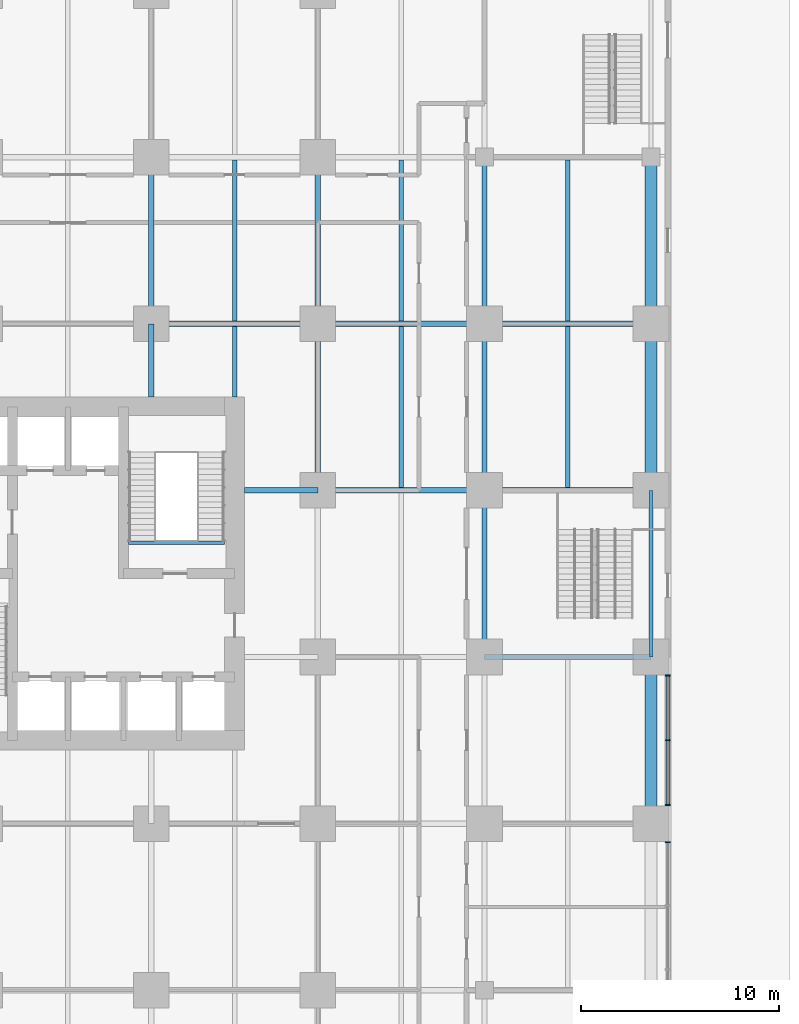
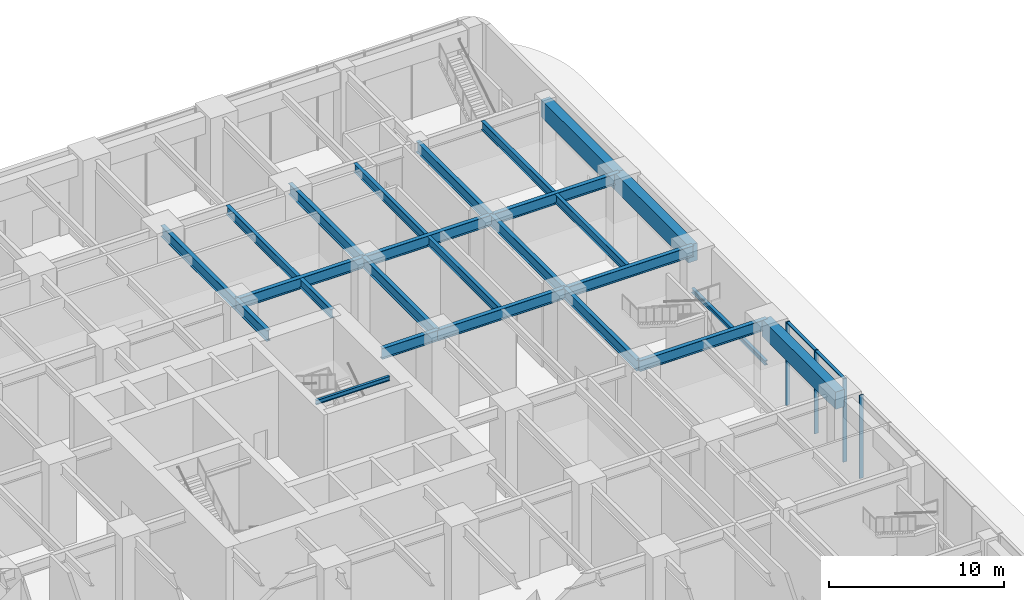
# One storey, part 6 of 21: 25 beams, 6 members, 1 element without a shape of its own.
"""IFC4 building model written with IfcOpenShell, lengths in metres."""

from ifc_helpers import new_model, si_unit, direction, frame, origin, origin_2d, place, context, subcontext, project, spatial, rectangle, i_section, extrude, material, material_profile, profile_set, type_object, element, aggregate, save


model = new_model("IFC4")

# Units and contexts
model_context = context("Model", 3, precision=1e-05, world=origin(), true_north=direction((0.0, 1.0)))
body_context = subcontext(model_context, "Body", "Model", "MODEL_VIEW")
ifc_project = project(units=[si_unit("LENGTHUNIT", "METRE"), si_unit("AREAUNIT", "SQUARE_METRE"), si_unit("VOLUMEUNIT", "CUBIC_METRE"), si_unit("PLANEANGLEUNIT", "RADIAN"), si_unit("MASSUNIT", "GRAM", prefix="KILO")], contexts=[model_context])

# Site, building, storey
site_placement = place(None, origin())
site = spatial("IfcSite", under=ifc_project, at=site_placement, CompositionType="ELEMENT")
building_placement = place(site_placement, origin())
building = spatial("IfcBuilding", under=site, at=building_placement, Name="Torre Alcanfor", CompositionType="ELEMENT")
storey_placement = place(building_placement, origin())
storey = spatial("IfcBuildingStorey", under=building, at=storey_placement, Name="L00", CompositionType="ELEMENT", Elevation=0.0)

# Curtain wall, members
ifc_material_1 = material(Name="Aluminium and glass", Category="aluminium")
curtain_wall_type = type_object("IfcCurtainWallType", Name="CW-C ground floor storefront glazing", PredefinedType="NOTDEFINED", material=ifc_material_1)
curtain_wall_placement = place(storey_placement, origin())
curtain_wall = element("IfcCurtainWall", 1, at=curtain_wall_placement, inside=storey, type_object=curtain_wall_type, Name="Curtain wall CW-C L00 E 3", PredefinedType="NOTDEFINED")
ifc_material_2 = material(Name="Extruded aluminium", Category="aluminium")
ifc_material_profile_1 = material_profile(ifc_material_2, rectangle(XDim=0.25, YDim=0.06494140625, at=origin_2d()), Name="CW-C mullion 65x250")
ifc_profile_set_1 = profile_set([ifc_material_profile_1], Name="Extruded aluminium")
member_type_1 = type_object("IfcMemberType", Name="CW-C mullion 65x250", PredefinedType="MULLION", material=ifc_profile_set_1)
member_1_placement = place(storey_placement, frame((59.64990234375, 15.862548828125, 0.0), z_axis=(0.0, 0.0, 1.0), x_axis=(-1.0, 0.0, 0.0)))
member_1 = element("IfcMember", 2, at=member_1_placement, type_object=member_type_1, Name="CW-C mullion 1.5", PredefinedType="MULLION", context=body_context, shape_type="SweptSolid", body=[
    extrude(rectangle(XDim=0.25, YDim=0.06494140625, at=origin_2d()), origin(), (0.0, 0.0, 1.0), 5.800048828125),
])
member_2_placement = place(storey_placement, frame((59.64990234375, 17.737548828125, 0.0), z_axis=(0.0, 0.0, 1.0), x_axis=(-1.0, 0.0, 0.0)))
member_2 = element("IfcMember", 3, at=member_2_placement, type_object=member_type_1, Name="CW-C mullion 2.1", PredefinedType="MULLION", context=body_context, shape_type="SweptSolid", body=[
    extrude(rectangle(XDim=0.25, YDim=0.06494140625, at=origin_2d()), origin(), (0.0, 0.0, 1.0), 5.800048828125),
])
member_3_placement = place(storey_placement, frame((59.64990234375, 21.0, 0.0), z_axis=(0.0, 0.0, 1.0), x_axis=(-1.0, 0.0, 0.0)))
member_3 = element("IfcMember", 4, at=member_3_placement, type_object=member_type_1, Name="CW-C mullion 2.2", PredefinedType="MULLION", context=body_context, shape_type="SweptSolid", body=[
    extrude(rectangle(XDim=0.25, YDim=0.06494140625, at=origin_2d()), origin(), (0.0, 0.0, 1.0), 5.800048828125),
])
member_4_placement = place(storey_placement, frame((59.64990234375, 24.262451171875, 0.0), z_axis=(0.0, 0.0, 1.0), x_axis=(-1.0, 0.0, 0.0)))
member_4 = element("IfcMember", 5, at=member_4_placement, type_object=member_type_1, Name="CW-C mullion 2.3", PredefinedType="MULLION", context=body_context, shape_type="SweptSolid", body=[
    extrude(rectangle(XDim=0.25, YDim=0.06494140625, at=origin_2d()), origin(), (0.0, 0.0, 1.0), 5.800048828125),
])
ifc_material_3 = material(Name="Extruded aluminium", Category="aluminium")
ifc_material_profile_2 = material_profile(ifc_material_3, rectangle(XDim=0.199951171875, YDim=0.06494140625, at=origin_2d()), Name="CW-C transom 200x65")
ifc_profile_set_2 = profile_set([ifc_material_profile_2], Name="Extruded aluminium")
member_type_2 = type_object("IfcMemberType", Name="CW-C transom 65x200", PredefinedType="USERDEFINED", material=ifc_profile_set_2)
member_5_placement = place(storey_placement, frame((59.64990234375, 17.77001953125, 5.767578125), z_axis=(0.0, 1.0, 0.0), x_axis=(-1.0, 0.0, 0.0)))
member_5 = element("IfcMember", 6, at=member_5_placement, type_object=member_type_2, Name="CW-C transom 2.1.2", ObjectType="TRANSOM", PredefinedType="USERDEFINED", context=body_context, shape_type="SweptSolid", body=[
    extrude(rectangle(XDim=0.199951171875, YDim=0.06494140625, at=origin_2d()), origin(), (0.0, 0.0, 1.0), 3.197509765625),
])
member_6_placement = place(storey_placement, frame((59.64990234375, 21.032470703125, 5.767578125), z_axis=(0.0, 1.0, 0.0), x_axis=(-1.0, 0.0, 0.0)))
member_6 = element("IfcMember", 7, at=member_6_placement, type_object=member_type_2, Name="CW-C transom 2.2.2", ObjectType="TRANSOM", PredefinedType="USERDEFINED", context=body_context, shape_type="SweptSolid", body=[
    extrude(rectangle(XDim=0.199951171875, YDim=0.06494140625, at=origin_2d()), origin(), (0.0, 0.0, 1.0), 3.197509765625),
])
aggregate(curtain_wall, [member_1, member_2, member_3, member_4, member_5, member_6])

# Beams
ifc_material_4 = material(Name="Steel ASTM A992 Grade 50", Category="steel")
ifc_material_profile_3 = material_profile(ifc_material_4, i_section(OverallWidth=0.2666015625, OverallDepth=0.7568359375, WebThickness=0.013916015625, FlangeThickness=0.019287109375, at=origin_2d()), Name="W30x108")
ifc_profile_set_3 = profile_set([ifc_material_profile_3], Name="Steel ASTM A992 Grade 50")
beam_type_1 = type_object("IfcBeamType", Name="Girder W30x108", PredefinedType="BEAM", material=ifc_profile_set_3)
beam_1_placement = place(storey_placement, frame((50.39990234375, 25.199951171875, 5.421630859375), z_axis=(1.0, 0.0, 0.0), x_axis=(0.0, 1.0, 0.0)))
element("IfcBeam", 8, at=beam_1_placement, inside=storey, type_object=beam_type_1, Name="Beam 7F-8F under L01", PredefinedType="BEAM", context=body_context, shape_type="SweptSolid", body=[
    extrude(i_section(OverallWidth=0.2666015625, OverallDepth=0.7568359375, WebThickness=0.013916015625, FlangeThickness=0.019287109375, at=origin_2d()), origin(), (0.0, 0.0, 1.0), 8.400146484375),
])
beam_2_placement = place(storey_placement, frame((42.0, 33.60009765625, 5.421630859375), z_axis=(1.0, 0.0, 0.0), x_axis=(0.0, 1.0, 0.0)))
element("IfcBeam", 9, at=beam_2_placement, inside=storey, type_object=beam_type_1, Name="Beam 6G-7G under L01", PredefinedType="BEAM", context=body_context, shape_type="SweptSolid", body=[
    extrude(i_section(OverallWidth=0.2666015625, OverallDepth=0.7568359375, WebThickness=0.013916015625, FlangeThickness=0.019287109375, at=origin_2d()), origin(), (0.0, 0.0, 1.0), 8.39990234375),
])
beam_3_placement = place(storey_placement, frame((50.39990234375, 33.60009765625, 5.421630859375), z_axis=(1.0, 0.0, 0.0), x_axis=(0.0, 1.0, 0.0)))
element("IfcBeam", 10, at=beam_3_placement, inside=storey, type_object=beam_type_1, Name="Beam 7G-8G under L01", PredefinedType="BEAM", context=body_context, shape_type="SweptSolid", body=[
    extrude(i_section(OverallWidth=0.2666015625, OverallDepth=0.7568359375, WebThickness=0.013916015625, FlangeThickness=0.019287109375, at=origin_2d()), origin(), (0.0, 0.0, 1.0), 8.400146484375),
])
for number, where, z_axis, x_axis, name in (
    (11, (33.60009765625, 42.0, 5.421630859375), (1.0, 0.0, 0.0), (0.0, 1.0, 0.0), "Beam 5H-6H under L01"),
    (12, (42.0, 42.0, 5.421630859375), (1.0, 0.0, 0.0), (0.0, 1.0, 0.0), "Beam 6H-7H under L01"),
):
    element("IfcBeam", number, at=place(storey_placement, frame(where, z_axis=z_axis, x_axis=x_axis)), inside=storey, type_object=beam_type_1, Name=name, PredefinedType="BEAM", context=body_context, shape_type="SweptSolid", body=[
        extrude(i_section(OverallWidth=0.2666015625, OverallDepth=0.7568359375, WebThickness=0.013916015625, FlangeThickness=0.019287109375, at=origin_2d()), origin(), (0.0, 0.0, 1.0), 8.39990234375),
    ])
beam_4_placement = place(storey_placement, frame((50.39990234375, 42.0, 5.421630859375), z_axis=(1.0, 0.0, 0.0), x_axis=(0.0, 1.0, 0.0)))
element("IfcBeam", 13, at=beam_4_placement, inside=storey, type_object=beam_type_1, Name="Beam 7H-8H under L01", PredefinedType="BEAM", context=body_context, shape_type="SweptSolid", body=[
    extrude(i_section(OverallWidth=0.2666015625, OverallDepth=0.7568359375, WebThickness=0.013916015625, FlangeThickness=0.019287109375, at=origin_2d()), origin(), (0.0, 0.0, 1.0), 8.400146484375),
])
for number, where, z_axis, x_axis, name in (
    (14, (33.60009765625, 42.0, 5.421630859375), (0.0, 1.0, 0.0), (-1.0, 0.0, 0.0), "Beam 5H-5J under L01"),
    (15, (42.0, 33.60009765625, 5.421630859375), (0.0, 1.0, 0.0), (-1.0, 0.0, 0.0), "Beam 6G-6H under L01"),
    (16, (42.0, 42.0, 5.421630859375), (0.0, 1.0, 0.0), (-1.0, 0.0, 0.0), "Beam 6H-6J under L01"),
):
    element("IfcBeam", number, at=place(storey_placement, frame(where, z_axis=z_axis, x_axis=x_axis)), inside=storey, type_object=beam_type_1, Name=name, PredefinedType="BEAM", context=body_context, shape_type="SweptSolid", body=[
        extrude(i_section(OverallWidth=0.2666015625, OverallDepth=0.7568359375, WebThickness=0.013916015625, FlangeThickness=0.019287109375, at=origin_2d()), origin(), (0.0, 0.0, 1.0), 8.39990234375),
    ])
beam_5_placement = place(storey_placement, frame((50.39990234375, 25.199951171875, 5.421630859375), z_axis=(0.0, 1.0, 0.0), x_axis=(-1.0, 0.0, 0.0)))
element("IfcBeam", 17, at=beam_5_placement, inside=storey, type_object=beam_type_1, Name="Beam 7F-7G under L01", PredefinedType="BEAM", context=body_context, shape_type="SweptSolid", body=[
    extrude(i_section(OverallWidth=0.2666015625, OverallDepth=0.7568359375, WebThickness=0.013916015625, FlangeThickness=0.019287109375, at=origin_2d()), origin(), (0.0, 0.0, 1.0), 8.400146484375),
])
for number, where, z_axis, x_axis, name in (
    (18, (50.39990234375, 33.60009765625, 5.421630859375), (0.0, 1.0, 0.0), (-1.0, 0.0, 0.0), "Beam 7G-7H under L01"),
    (19, (50.39990234375, 42.0, 5.421630859375), (0.0, 1.0, 0.0), (-1.0, 0.0, 0.0), "Beam 7H-7J under L01"),
):
    element("IfcBeam", number, at=place(storey_placement, frame(where, z_axis=z_axis, x_axis=x_axis)), inside=storey, type_object=beam_type_1, Name=name, PredefinedType="BEAM", context=body_context, shape_type="SweptSolid", body=[
        extrude(i_section(OverallWidth=0.2666015625, OverallDepth=0.7568359375, WebThickness=0.013916015625, FlangeThickness=0.019287109375, at=origin_2d()), origin(), (0.0, 0.0, 1.0), 8.39990234375),
    ])
ifc_material_5 = material(Name="Steel ASTM A992 Grade 50", Category="steel")
ifc_material_profile_4 = material_profile(ifc_material_5, i_section(OverallWidth=0.2666015625, OverallDepth=0.7568359375, WebThickness=0.013916015625, FlangeThickness=0.019287109375, at=origin_2d()), Name="W30x108")
ifc_profile_set_4 = profile_set([ifc_material_profile_4], Name="Steel ASTM A992 Grade 50")
beam_type_2 = type_object("IfcBeamType", Name="Girder, part bay W30x108", PredefinedType="BEAM", material=ifc_profile_set_4)
for number, where, z_axis, x_axis, name in (
    (20, (33.60009765625, 42.0, 5.421630859375), (0.0, -1.0, 0.0), (1.0, 0.0, 0.0), "Beam 5H-538_3 under L01"),
    (21, (42.0, 33.60009765625, 5.421630859375), (-1.0, 0.0, 0.0), (0.0, -1.0, 0.0), "Beam 6G-38_3G under L01"),
):
    element("IfcBeam", number, at=place(storey_placement, frame(where, z_axis=z_axis, x_axis=x_axis)), inside=storey, type_object=beam_type_2, Name=name, PredefinedType="BEAM", context=body_context, shape_type="SweptSolid", body=[
        extrude(i_section(OverallWidth=0.2666015625, OverallDepth=0.7568359375, WebThickness=0.013916015625, FlangeThickness=0.019287109375, at=origin_2d()), origin(), (0.0, 0.0, 1.0), 3.699951171875),
    ])
ifc_material_6 = material(Name="Concrete f'c 70 MPa", Category="concrete")
ifc_material_profile_5 = material_profile(ifc_material_6, rectangle(XDim=0.60009765625, YDim=1.199951171875, at=origin_2d()), Name="600x1200")
ifc_profile_set_5 = profile_set([ifc_material_profile_5], Name="Concrete f'c 70 MPa")
beam_type_3 = type_object("IfcBeamType", Name="RC perimeter beam 600x1200", PredefinedType="BEAM", material=ifc_profile_set_5)
for number, where, z_axis, x_axis, name in (
    (22, (58.800048828125, 16.800048828125, 5.199951171875), (0.0, 1.0, 0.0), (-1.0, 0.0, 0.0), "Beam 8E-8F under L01"),
    (23, (58.800048828125, 33.60009765625, 5.199951171875), (0.0, 1.0, 0.0), (-1.0, 0.0, 0.0), "Beam 8G-8H under L01"),
    (24, (58.800048828125, 42.0, 5.199951171875), (0.0, 1.0, 0.0), (-1.0, 0.0, 0.0), "Beam 8H-8J under L01"),
):
    element("IfcBeam", number, at=place(storey_placement, frame(where, z_axis=z_axis, x_axis=x_axis)), inside=storey, type_object=beam_type_3, Name=name, PredefinedType="BEAM", context=body_context, shape_type="SweptSolid", body=[
        extrude(rectangle(XDim=0.60009765625, YDim=1.199951171875, at=origin_2d()), origin(), (0.0, 0.0, 1.0), 8.39990234375),
    ])
ifc_material_7 = material(Name="Steel ASTM A992 Grade 50", Category="steel")
ifc_material_profile_6 = material_profile(ifc_material_7, i_section(OverallWidth=0.203369140625, OverallDepth=0.30224609375, WebThickness=0.007568359375, FlangeThickness=0.01318359375, at=origin_2d()), Name="W12x40")
ifc_profile_set_6 = profile_set([ifc_material_profile_6], Name="Steel ASTM A992 Grade 50")
beam_type_4 = type_object("IfcBeamType", Name="School stair landing beam W12x40", PredefinedType="BEAM", material=ifc_profile_set_6)
beam_6_placement = place(storey_placement, frame((58.800048828125, 25.199951171875, 2.64892578125), z_axis=(0.0, 1.0, 0.0), x_axis=(-1.0, 0.0, 0.0)))
element("IfcBeam", 25, at=beam_6_placement, inside=storey, type_object=beam_type_4, Name="Landing beam SS2 L00", PredefinedType="BEAM", context=body_context, shape_type="SweptSolid", body=[
    extrude(i_section(OverallWidth=0.203369140625, OverallDepth=0.30224609375, WebThickness=0.007568359375, FlangeThickness=0.01318359375, at=origin_2d()), origin(), (0.0, 0.0, 1.0), 8.400146484375),
])
ifc_material_8 = material(Name="Steel ASTM A992 Grade 50", Category="steel")
ifc_material_profile_7 = material_profile(ifc_material_8, i_section(OverallWidth=0.22900390625, OverallDepth=0.612060546875, WebThickness=0.011962890625, FlangeThickness=0.01953125, at=origin_2d()), Name="W24x84")
ifc_profile_set_7 = profile_set([ifc_material_profile_7], Name="Steel ASTM A992 Grade 50")
beam_type_5 = type_object("IfcBeamType", Name="Secondary beam W24x84", PredefinedType="BEAM", material=ifc_profile_set_7)
for number, where, z_axis, x_axis, name in (
    (26, (37.800048828125, 42.133056640625, 5.493896484375), (0.0, 1.0, 0.0), (-1.0, 0.0, 0.0), "Beam 37_8H-37_8J under L01"),
    (27, (46.199951171875, 33.73291015625, 5.493896484375), (0.0, 1.0, 0.0), (-1.0, 0.0, 0.0), "Beam 46_2G-46_2H under L01"),
    (28, (46.199951171875, 42.133056640625, 5.493896484375), (0.0, 1.0, 0.0), (-1.0, 0.0, 0.0), "Beam 46_2H-46_2J under L01"),
    (29, (54.60009765625, 33.73291015625, 5.493896484375), (0.0, 1.0, 0.0), (-1.0, 0.0, 0.0), "Beam 54_6G-54_6H under L01"),
    (30, (54.60009765625, 42.133056640625, 5.493896484375), (0.0, 1.0, 0.0), (-1.0, 0.0, 0.0), "Beam 54_6H-54_6J under L01"),
):
    element("IfcBeam", number, at=place(storey_placement, frame(where, z_axis=z_axis, x_axis=x_axis)), inside=storey, type_object=beam_type_5, Name=name, PredefinedType="BEAM", context=body_context, shape_type="SweptSolid", body=[
        extrude(i_section(OverallWidth=0.22900390625, OverallDepth=0.612060546875, WebThickness=0.011962890625, FlangeThickness=0.01953125, at=origin_2d()), origin(), (0.0, 0.0, 1.0), 8.134033203125),
    ])
ifc_material_9 = material(Name="Steel ASTM A992 Grade 50", Category="steel")
ifc_material_profile_8 = material_profile(ifc_material_9, i_section(OverallWidth=0.22900390625, OverallDepth=0.612060546875, WebThickness=0.011962890625, FlangeThickness=0.01953125, at=origin_2d()), Name="W24x84")
ifc_profile_set_8 = profile_set([ifc_material_profile_8], Name="Steel ASTM A992 Grade 50")
beam_type_6 = type_object("IfcBeamType", Name="Secondary beam, part bay W24x84", PredefinedType="BEAM", material=ifc_profile_set_8)
beam_7_placement = place(storey_placement, frame((37.800048828125, 38.300048828125, 5.493896484375), z_axis=(0.0, 1.0, 0.0), x_axis=(-1.0, 0.0, 0.0)))
element("IfcBeam", 31, at=beam_7_placement, inside=storey, type_object=beam_type_6, Name="Beam 37_838_3-37_8H under L01", PredefinedType="BEAM", context=body_context, shape_type="SweptSolid", body=[
    extrude(i_section(OverallWidth=0.22900390625, OverallDepth=0.612060546875, WebThickness=0.011962890625, FlangeThickness=0.01953125, at=origin_2d()), origin(), (0.0, 0.0, 1.0), 3.56689453125),
])
ifc_material_10 = material(Name="Steel ASTM A992 Grade 50", Category="steel")
ifc_material_profile_9 = material_profile(ifc_material_10, i_section(OverallWidth=0.164794921875, OverallDepth=0.309814453125, WebThickness=0.005859375, FlangeThickness=0.009765625, at=origin_2d()), Name="W12x26")
ifc_profile_set_9 = profile_set([ifc_material_profile_9], Name="Steel ASTM A992 Grade 50")
beam_type_7 = type_object("IfcBeamType", Name="Stair landing beam W12x26", PredefinedType="BEAM", material=ifc_profile_set_9)
beam_8_placement = place(storey_placement, frame((32.449951171875, 30.962646484375, 5.64501953125), z_axis=(1.0, 0.0, 0.0), x_axis=(0.0, 1.0, 0.0)))
element("IfcBeam", 32, at=beam_8_placement, inside=storey, type_object=beam_type_7, Name="Landing trimmer S2 L01", PredefinedType="BEAM", context=body_context, shape_type="SweptSolid", body=[
    extrude(i_section(OverallWidth=0.164794921875, OverallDepth=0.309814453125, WebThickness=0.005859375, FlangeThickness=0.009765625, at=origin_2d()), origin(), (0.0, 0.0, 1.0), 4.85009765625),
])

save(model, "model.ifc")
